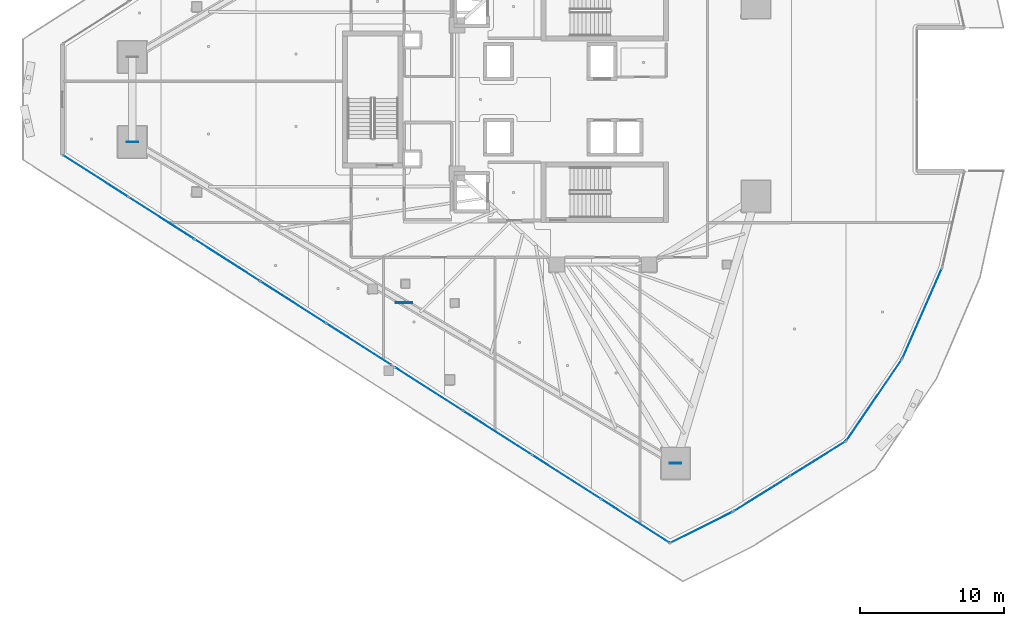
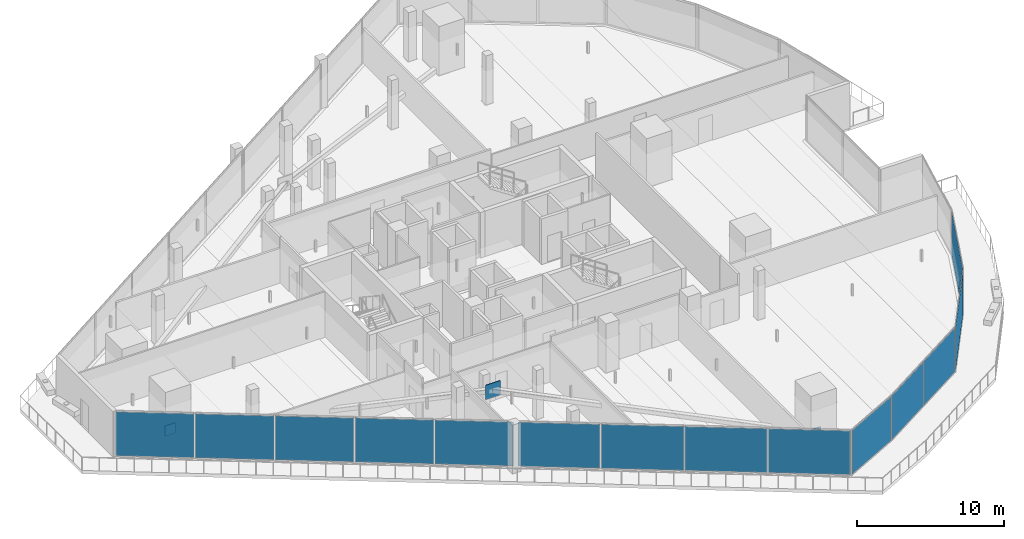
# One storey, part 27 of 45: 17 plates, 6 elements without a shape of their own.
"""IFC4 building model written with IfcOpenShell, lengths in metres."""

import ifcopenshell
import ifcopenshell.guid

model = None  # the IFC model being written
_history = None  # IfcOwnerHistory: only IFC2X3 demands one
_inside = {}  # id of a spatial element -> (the spatial element, [elements in it])
_under = {}  # id of a project, library or spatial element -> (it, [spatial elements below it])
_declared = {}  # id of a project -> (the project, [libraries it declares])
_typed = {}  # id of a type object -> (the type object, [elements of that type])
_made_of = {}  # id of a material, layer set ... -> (it, [elements and type objects made of it])


def new_model(schema):
    """Start an empty IFC model of exactly this schema.

    Asked for "IFC4X3", IfcOpenShell would pick the latest addendum, in which some entities
    have other attributes; the version numbers below select the first issue.
    IFC2X3 requires an IfcOwnerHistory on every rooted entity: one is made here for all.
    """
    global model, _history
    if schema == "IFC4X3":
        model = ifcopenshell.file(schema_version=(4, 3, 0, 0))
    else:
        model = ifcopenshell.file(schema=schema)
    _inside.clear()
    _under.clear()
    _declared.clear()
    _typed.clear()
    _made_of.clear()
    _history = None
    if model.schema == "IFC2X3":
        org = make("IfcOrganization", Name="unknown")
        user = make(
            "IfcPersonAndOrganization",
            ThePerson=make("IfcPerson", FamilyName="unknown"),
            TheOrganization=org,
        )
        app = make(
            "IfcApplication",
            ApplicationDeveloper=org,
            Version="unknown",
            ApplicationFullName="unknown",
            ApplicationIdentifier="unknown",
        )
        _history = make(
            "IfcOwnerHistory",
            OwningUser=user,
            OwningApplication=app,
            ChangeAction="ADDED",
            CreationDate=0,
        )
    return model


def make(cls, **values):
    """One entity of the class cls with the attributes given. An attribute that is None is left unset."""
    return model.create_entity(
        cls, **{name: value for name, value in values.items() if value is not None}
    )


def rooted(cls, **values):
    """An entity with a GlobalId (a new one), such as an element, a storey or a relation."""
    return make(cls, GlobalId=ifcopenshell.guid.new(), OwnerHistory=_history, **values)


def si_unit(unit_type, name, prefix=None):
    """IfcSIUnit, for example si_unit("LENGTHUNIT", "METRE", prefix="MILLI")."""
    return make("IfcSIUnit", UnitType=unit_type, Prefix=prefix, Name=name)


def assignment(units):
    """IfcUnitAssignment: the units of a project."""
    return None if units is None else make("IfcUnitAssignment", Units=units)


def point(xyz):
    """IfcCartesianPoint."""
    return None if xyz is None else make("IfcCartesianPoint", Coordinates=xyz)


def direction(xyz):
    """IfcDirection."""
    return None if xyz is None else make("IfcDirection", DirectionRatios=xyz)


def frame(location, z_axis=None, x_axis=None):
    """IfcAxis2Placement3D, a coordinate frame: its origin and axes. An axis left out is left unset."""
    return make(
        "IfcAxis2Placement3D",
        Location=point(location),
        Axis=direction(z_axis),
        RefDirection=direction(x_axis),
    )


def frame_2d(location, x_axis=None):
    """IfcAxis2Placement2D, a coordinate frame in the plane: its origin and x axis."""
    return make(
        "IfcAxis2Placement2D", Location=point(location), RefDirection=direction(x_axis)
    )


def origin():
    """The frame at (0, 0, 0) with its axes left unset."""
    return frame((0.0, 0.0, 0.0))


def origin_2d():
    """The frame at (0, 0) in the plane with its x axis left unset."""
    return frame_2d((0.0, 0.0))


def place(relative_to, where):
    """IfcLocalPlacement: puts the frame where relative to a parent placement (None: the world)."""
    return make(
        "IfcLocalPlacement", PlacementRelTo=relative_to, RelativePlacement=where
    )


def context(
    kind, dimensions, precision=None, world=None, true_north=None, identifier=None
):
    """IfcGeometricRepresentationContext, for example the 3D "Model" context."""
    return make(
        "IfcGeometricRepresentationContext",
        ContextIdentifier=identifier,
        ContextType=kind,
        CoordinateSpaceDimension=dimensions,
        Precision=precision,
        WorldCoordinateSystem=world,
        TrueNorth=true_north,
    )


def subcontext(parent, identifier, kind, view, scale=None):
    """IfcGeometricRepresentationSubContext, for example "Body" below "Model"."""
    return make(
        "IfcGeometricRepresentationSubContext",
        ContextIdentifier=identifier,
        ContextType=kind,
        ParentContext=parent,
        TargetScale=scale,
        TargetView=view,
    )


def project(units=None, contexts=None):
    """IfcProject with its units and contexts."""
    return rooted(
        "IfcProject",
        Name="project",
        RepresentationContexts=contexts,
        UnitsInContext=assignment(units),
    )


def spatial(cls, under=None, at=None, **own):
    """A site, building, storey or space (cls), placed at a placement, below another one or the project."""
    s = rooted(cls, ObjectPlacement=at, **own)
    if under is not None:
        _under.setdefault(under.id(), (under, []))[1].append(s)
    return s


def profile(cls, at=None, kind="AREA", **sizes):
    """A parametric profile (cls). Its sizes go by their IFC names, for example OverallWidth=200.0."""
    return make(cls, ProfileType=kind, Position=at, **sizes)


def rectangle(**sizes):
    """IfcRectangleProfileDef."""
    return profile("IfcRectangleProfileDef", **sizes)


def extrude(swept, where, along, depth):
    """IfcExtrudedAreaSolid: the profile swept, set in the frame where, extruded along a direction by depth."""
    return make(
        "IfcExtrudedAreaSolid",
        SweptArea=swept,
        Position=where,
        ExtrudedDirection=direction(along),
        Depth=depth,
    )


def shape(context_of_items, identifier, shape_type, items):
    """IfcShapeRepresentation: the items that make up one representation, for example the "Body"."""
    return make(
        "IfcShapeRepresentation",
        ContextOfItems=context_of_items,
        RepresentationIdentifier=identifier,
        RepresentationType=shape_type,
        Items=items,
    )


def material(Name=None, Category=None):
    """IfcMaterial."""
    return make("IfcMaterial", Name=Name, Category=Category)


def layer(
    of_material, thickness, ventilated=None, Name=None, Category=None, Priority=None
):
    """IfcMaterialLayer: one layer of a wall or slab, of a material (None: an air gap)."""
    return make(
        "IfcMaterialLayer",
        Material=of_material,
        LayerThickness=thickness,
        IsVentilated=ventilated,
        Name=Name,
        Category=Category,
        Priority=Priority,
    )


def layer_set(layers, Name=None):
    """IfcMaterialLayerSet."""
    return make("IfcMaterialLayerSet", MaterialLayers=layers, LayerSetName=Name)


def made_of(thing, what):
    """Note that an element or type object is made of a material, layer set ...; save() writes the relation."""
    if what is not None:
        _made_of.setdefault(what.id(), (what, []))[1].append(thing)
    return thing


def type_object(cls, material=None, **own):
    """A type object (cls), such as IfcWallType, which elements share."""
    return made_of(rooted(cls, **own), material)


def element(
    cls,
    number,
    at=None,
    inside=None,
    cuts=None,
    type_object=None,
    material=None,
    context=None,
    identifier="Body",
    shape_type=None,
    held_by="IfcProductDefinitionShape",
    body=None,
    shapes=None,
    **own,
):
    """One element of the class cls, such as IfcWall. Its Tag is "e" and its number.

    at: its placement. inside: the storey or other place that contains it. cuts: it is an
    opening in that element (IfcRelVoidsElement). A single representation is given by context,
    identifier, shape_type and body (its items); several are given by shapes. held_by: the class
    of the entity that holds the representations. save() writes the other relations.
    """
    e = rooted(cls, Tag="e%d" % number, ObjectPlacement=at, **own)
    if body is not None:
        shapes = [shape(context, identifier, shape_type, body)]
    if shapes is not None:
        e.Representation = make(held_by, Representations=shapes)
    if inside is not None:
        _inside.setdefault(inside.id(), (inside, []))[1].append(e)
    if cuts is not None:
        rooted(
            "IfcRelVoidsElement", RelatingBuildingElement=cuts, RelatedOpeningElement=e
        )
    if type_object is not None:
        _typed.setdefault(type_object.id(), (type_object, []))[1].append(e)
    return made_of(e, material)


def aggregate(whole, parts):
    """IfcRelAggregates: a whole, such as a stair, and the parts it consists of."""
    return rooted("IfcRelAggregates", RelatingObject=whole, RelatedObjects=parts)


def save(model, path):
    """Write the relations noted so far, then the file.

    IfcRelAggregates (storeys below a building ...), IfcRelContainedInSpatialStructure (elements
    in a storey), IfcRelDefinesByType, IfcRelAssociatesMaterial and IfcRelDeclares: one each for
    every whole, place, type object, material and project.
    """
    for whole, parts in _under.values():
        aggregate(whole, parts)
    for where, things in _inside.values():
        rooted(
            "IfcRelContainedInSpatialStructure",
            RelatedElements=things,
            RelatingStructure=where,
        )
    for kind, things in _typed.values():
        rooted("IfcRelDefinesByType", RelatedObjects=things, RelatingType=kind)
    for what, things in _made_of.values():
        rooted("IfcRelAssociatesMaterial", RelatedObjects=things, RelatingMaterial=what)
    for by, libraries in _declared.values():
        rooted("IfcRelDeclares", RelatingContext=by, RelatedDefinitions=libraries)
    model.write(path)


model = new_model("IFC4")

# Units and contexts
model_context = context("Model", 3, precision=1e-05, world=origin(), true_north=direction((0.0, 1.0)))
body_context = subcontext(model_context, "Body", "Model", "MODEL_VIEW")
ifc_project = project(units=[si_unit("LENGTHUNIT", "METRE"), si_unit("AREAUNIT", "SQUARE_METRE"), si_unit("VOLUMEUNIT", "CUBIC_METRE"), si_unit("PLANEANGLEUNIT", "RADIAN"), si_unit("MASSUNIT", "GRAM", prefix="KILO")], contexts=[model_context])

# Site, building, storey
site_placement = place(None, origin())
site = spatial("IfcSite", under=ifc_project, at=site_placement, CompositionType="ELEMENT")
building_placement = place(site_placement, origin())
building = spatial("IfcBuilding", under=site, at=building_placement, Name="Qorvath Tower", CompositionType="ELEMENT")
storey_placement = place(building_placement, frame((0.0, 0.0, 126.0)))
storey = spatial("IfcBuildingStorey", under=building, at=storey_placement, Name="L28", CompositionType="ELEMENT", Elevation=126.0)

# Curtain wall, plates
ifc_material_1 = material(Name="Anodised aluminium and triple low-E glass", Category="aluminium")
ifc_layer_1 = layer(ifc_material_1, 0.179931640625)
ifc_layer_set_1 = layer_set([ifc_layer_1], Name="CW-SYS-2")
curtain_wall_type = type_object("IfcCurtainWallType", Name="CW-SYS-2", PredefinedType="NOTDEFINED", material=ifc_layer_set_1)
curtain_wall_1_placement = place(storey_placement, origin())
curtain_wall_1 = element("IfcCurtainWall", 1, at=curtain_wall_1_placement, inside=storey, type_object=curtain_wall_type, Name="Curtain Wall CW-2 CW-T-L28-2.1", PredefinedType="NOTDEFINED")
ifc_material_2 = material(Name="Low-E triple insulated glass", Category="glass")
ifc_layer_2 = layer(ifc_material_2, 0.031982421875)
ifc_layer_set_2 = layer_set([ifc_layer_2], Name="CWP-GLZ-32")
plate_type_1 = type_object("IfcPlateType", Name="CWP-GLZ-32", PredefinedType="CURTAIN_PANEL", material=ifc_layer_set_2)
plate_1_placement = place(storey_placement, frame((-55.589599609375, -5.318359375, 0.06494140625), z_axis=(0.0, 0.0, 1.0), x_axis=(0.842603667285, -0.538534177075, 0.0)))
plate_1 = element("IfcPlate", 2, at=plate_1_placement, type_object=plate_type_1, Name="CW-2 panel 1.1", PredefinedType="CURTAIN_PANEL", context=body_context, shape_type="SweptSolid", body=[
    extrude(rectangle(XDim=5.32861328125, YDim=0.031982421875, at=origin_2d()), origin(), (0.0, 0.0, 1.0), 3.639892578125),
])
plate_2_placement = place(storey_placement, frame((-51.03125, -8.231689453125, 0.06494140625), z_axis=(0.0, 0.0, 1.0), x_axis=(0.842603667285, -0.538534177075, 0.0)))
plate_2 = element("IfcPlate", 3, at=plate_2_placement, type_object=plate_type_1, Name="CW-2 panel 2.1", PredefinedType="CURTAIN_PANEL", context=body_context, shape_type="SweptSolid", body=[
    extrude(rectangle(XDim=5.361083984375, YDim=0.031982421875, at=origin_2d()), origin(), (0.0, 0.0, 1.0), 3.639892578125),
])
plate_3_placement = place(storey_placement, frame((-46.459228515625, -11.15380859375, 0.06494140625), z_axis=(0.0, 0.0, 1.0), x_axis=(0.842603667285, -0.538534177075, 0.0)))
plate_3 = element("IfcPlate", 4, at=plate_3_placement, type_object=plate_type_1, Name="CW-2 panel 3.1", PredefinedType="CURTAIN_PANEL", context=body_context, shape_type="SweptSolid", body=[
    extrude(rectangle(XDim=5.361083984375, YDim=0.031982421875, at=origin_2d()), origin(), (0.0, 0.0, 1.0), 3.639892578125),
])
plate_4_placement = place(storey_placement, frame((-41.88720703125, -14.075927734375, 0.06494140625), z_axis=(0.0, 0.0, 1.0), x_axis=(0.842603667285, -0.538534177075, 0.0)))
plate_4 = element("IfcPlate", 5, at=plate_4_placement, type_object=plate_type_1, Name="CW-2 panel 4.1", PredefinedType="CURTAIN_PANEL", context=body_context, shape_type="SweptSolid", body=[
    extrude(rectangle(XDim=5.361083984375, YDim=0.031982421875, at=origin_2d()), origin(), (0.0, 0.0, 1.0), 3.639892578125),
])
plate_5_placement = place(storey_placement, frame((-37.328857421875, -16.989501953125, 0.06494140625), z_axis=(0.0, 0.0, 1.0), x_axis=(0.842603667285, -0.538534177075, 0.0)))
plate_5 = element("IfcPlate", 6, at=plate_5_placement, type_object=plate_type_1, Name="CW-2 panel 5.1", PredefinedType="CURTAIN_PANEL", context=body_context, shape_type="SweptSolid", body=[
    extrude(rectangle(XDim=5.32861328125, YDim=0.031982421875, at=origin_2d()), origin(), (0.0, 0.0, 1.0), 3.639892578125),
])
aggregate(curtain_wall_1, [plate_1, plate_2, plate_3, plate_4, plate_5])

curtain_wall_2_placement = place(storey_placement, origin())
curtain_wall_2 = element("IfcCurtainWall", 7, at=curtain_wall_2_placement, inside=storey, type_object=curtain_wall_type, Name="Curtain Wall CW-2 CW-T-L28-2.2", PredefinedType="NOTDEFINED")
plate_6_placement = place(storey_placement, frame((-32.474853515625, -20.091796875, 0.06494140625), z_axis=(0.0, 0.0, 1.0), x_axis=(0.84260239638, -0.538536165559, 0.0)))
plate_6 = element("IfcPlate", 8, at=plate_6_placement, type_object=plate_type_1, Name="CW-2 panel 1.1", PredefinedType="CURTAIN_PANEL", context=body_context, shape_type="SweptSolid", body=[
    extrude(rectangle(XDim=5.582763671875, YDim=0.031982421875, at=origin_2d()), origin(), (0.0, 0.0, 1.0), 3.639892578125),
])
plate_7_placement = place(storey_placement, frame((-27.702392578125, -23.14208984375, 0.06494140625), z_axis=(0.0, 0.0, 1.0), x_axis=(0.84260239638, -0.538536165559, 0.0)))
plate_7 = element("IfcPlate", 9, at=plate_7_placement, type_object=plate_type_1, Name="CW-2 panel 2.1", PredefinedType="CURTAIN_PANEL", context=body_context, shape_type="SweptSolid", body=[
    extrude(rectangle(XDim=5.615234375, YDim=0.031982421875, at=origin_2d()), origin(), (0.0, 0.0, 1.0), 3.639892578125),
])
plate_8_placement = place(storey_placement, frame((-22.916015625, -26.201171875, 0.06494140625), z_axis=(0.0, 0.0, 1.0), x_axis=(0.84260239638, -0.538536165559, 0.0)))
plate_8 = element("IfcPlate", 10, at=plate_8_placement, type_object=plate_type_1, Name="CW-2 panel 3.1", PredefinedType="CURTAIN_PANEL", context=body_context, shape_type="SweptSolid", body=[
    extrude(rectangle(XDim=5.615234375, YDim=0.031982421875, at=origin_2d()), origin(), (0.0, 0.0, 1.0), 3.639892578125),
])
plate_9_placement = place(storey_placement, frame((-18.1435546875, -29.251220703125, 0.06494140625), z_axis=(0.0, 0.0, 1.0), x_axis=(0.84260239638, -0.538536165559, 0.0)))
plate_9 = element("IfcPlate", 11, at=plate_9_placement, type_object=plate_type_1, Name="CW-2 panel 4.1", PredefinedType="CURTAIN_PANEL", context=body_context, shape_type="SweptSolid", body=[
    extrude(rectangle(XDim=5.582763671875, YDim=0.031982421875, at=origin_2d()), origin(), (0.0, 0.0, 1.0), 3.639892578125),
])
aggregate(curtain_wall_2, [plate_6, plate_7, plate_8, plate_9])

# Curtain wall, plate
curtain_wall_3_placement = place(storey_placement, origin())
curtain_wall_3 = element("IfcCurtainWall", 12, at=curtain_wall_3_placement, inside=storey, type_object=curtain_wall_type, Name="Curtain Wall CW-2 CW-T-L28-3.1", PredefinedType="NOTDEFINED")
plate_10_placement = place(storey_placement, frame((-13.53759765625, -29.68994140625, 0.06494140625), z_axis=(0.0, 0.0, 1.0), x_axis=(0.894402787992, 0.447262398188, 0.0)))
plate_10 = element("IfcPlate", 13, at=plate_10_placement, type_object=plate_type_1, Name="CW-2 panel 1.1", PredefinedType="CURTAIN_PANEL", context=body_context, shape_type="SweptSolid", body=[
    extrude(rectangle(XDim=4.78759765625, YDim=0.031982421875, at=origin_2d()), origin(), (0.0, 0.0, 1.0), 3.639892578125),
])
aggregate(curtain_wall_3, [plate_10])

# Curtain wall, plates
curtain_wall_4_placement = place(storey_placement, origin())
curtain_wall_4 = element("IfcCurtainWall", 14, at=curtain_wall_4_placement, inside=storey, type_object=curtain_wall_type, Name="Curtain Wall CW-2 CW-T-L28-4.1", PredefinedType="NOTDEFINED")
plate_11_placement = place(storey_placement, frame((-9.370361328125, -27.361572265625, 0.06494140625), z_axis=(0.0, 0.0, 1.0), x_axis=(0.84830786263, 0.529503324069, 0.0)))
plate_11 = element("IfcPlate", 15, at=plate_11_placement, type_object=plate_type_1, Name="CW-2 panel 1.1", PredefinedType="CURTAIN_PANEL", context=body_context, shape_type="SweptSolid", body=[
    extrude(rectangle(XDim=4.510009765625, YDim=0.031982421875, at=origin_2d()), origin(), (0.0, 0.0, 1.0), 3.639892578125),
])
plate_12_placement = place(storey_placement, frame((-5.4892578125, -24.939208984375, 0.06494140625), z_axis=(0.0, 0.0, 1.0), x_axis=(0.84830786263, 0.529503324069, 0.0)))
plate_12 = element("IfcPlate", 16, at=plate_12_placement, type_object=plate_type_1, Name="CW-2 panel 2.1", PredefinedType="CURTAIN_PANEL", context=body_context, shape_type="SweptSolid", body=[
    extrude(rectangle(XDim=4.510009765625, YDim=0.031982421875, at=origin_2d()), origin(), (0.0, 0.0, 1.0), 3.639892578125),
])
aggregate(curtain_wall_4, [plate_11, plate_12])

# Curtain wall, plate
curtain_wall_5_placement = place(storey_placement, origin())
curtain_wall_5 = element("IfcCurtainWall", 17, at=curtain_wall_5_placement, inside=storey, type_object=curtain_wall_type, Name="Curtain Wall CW-2 CW-T-L28-5.1", PredefinedType="NOTDEFINED")
plate_13_placement = place(storey_placement, frame((-1.574462890625, -20.861572265625, 0.06494140625), z_axis=(0.0, 0.0, 1.0), x_axis=(0.564163835208, 0.825662865244, 0.0)))
plate_13 = element("IfcPlate", 18, at=plate_13_placement, type_object=plate_type_1, Name="CW-2 panel 1.1", PredefinedType="CURTAIN_PANEL", context=body_context, shape_type="SweptSolid", body=[
    extrude(rectangle(XDim=6.771484375, YDim=0.031982421875, at=origin_2d()), origin(), (0.0, 0.0, 1.0), 3.639892578125),
])
aggregate(curtain_wall_5, [plate_13])

curtain_wall_6_placement = place(storey_placement, origin())
curtain_wall_6 = element("IfcCurtainWall", 19, at=curtain_wall_6_placement, inside=storey, type_object=curtain_wall_type, Name="Curtain Wall CW-2 CW-T-L28-6.1", PredefinedType="NOTDEFINED")
plate_14_placement = place(storey_placement, frame((1.75830078125, -14.852294921875, 0.06494140625), z_axis=(0.0, 0.0, 1.0), x_axis=(0.401648703602, 0.915793818987, 0.0)))
plate_14 = element("IfcPlate", 20, at=plate_14_placement, type_object=plate_type_1, Name="CW-2 panel 1.1", PredefinedType="CURTAIN_PANEL", context=body_context, shape_type="SweptSolid", body=[
    extrude(rectangle(XDim=6.771484375, YDim=0.031982421875, at=origin_2d()), origin(), (0.0, 0.0, 1.0), 3.639892578125),
])
aggregate(curtain_wall_6, [plate_14])

# Plates
ifc_material_3 = material(Name="Steel ASTM A572 Grade 50", Category="steel")
ifc_layer_3 = layer(ifc_material_3, 0.054931640625)
ifc_layer_set_3 = layer_set([ifc_layer_3], Name="PL-MBN1")
plate_type_2 = type_object("IfcPlateType", Name="PL-MBN1", PredefinedType="USERDEFINED", material=ifc_layer_set_3)
plate_15_placement = place(storey_placement, frame((-34.19677734375, -14.098388671875, 2.81982421875), z_axis=(0.0, 0.0, 1.0), x_axis=(1.0, 0.0, 0.0)))
element("IfcPlate", 21, at=plate_15_placement, inside=storey, type_object=plate_type_2, Name="Mega-Brace Chevron Apex Gusset L28-2", ObjectType="GUSSET", PredefinedType="USERDEFINED", context=body_context, shape_type="SweptSolid", body=[
    extrude(rectangle(XDim=1.14990234375, YDim=0.054931640625, at=origin_2d()), origin(), (0.0, 0.0, 1.0), 1.199951171875),
])
for number, where, z_axis, x_axis, name in (
    (22, (-53.04931640625, -2.95068359375, -0.425048828125), (0.0, 0.0, 1.0), (1.0, 0.0, 0.0), "Brace Strut End Gusset Plate NDBG-091"),
    (23, (-15.34423828125, -25.24609375, -0.425048828125), (0.0, 0.0, 1.0), (1.0, 0.0, 0.0), "Brace Strut End Gusset Plate NDBG-092"),
):
    element("IfcPlate", number, at=place(storey_placement, frame(where, z_axis=z_axis, x_axis=x_axis)), inside=storey, type_object=plate_type_2, Name=name, ObjectType="GUSSET", PredefinedType="USERDEFINED", context=body_context, shape_type="SweptSolid", body=[
        extrude(rectangle(XDim=0.800048828125, YDim=0.054931640625, at=origin_2d()), origin(), (0.0, 0.0, 1.0), 0.85009765625),
    ])

save(model, "model.ifc")
